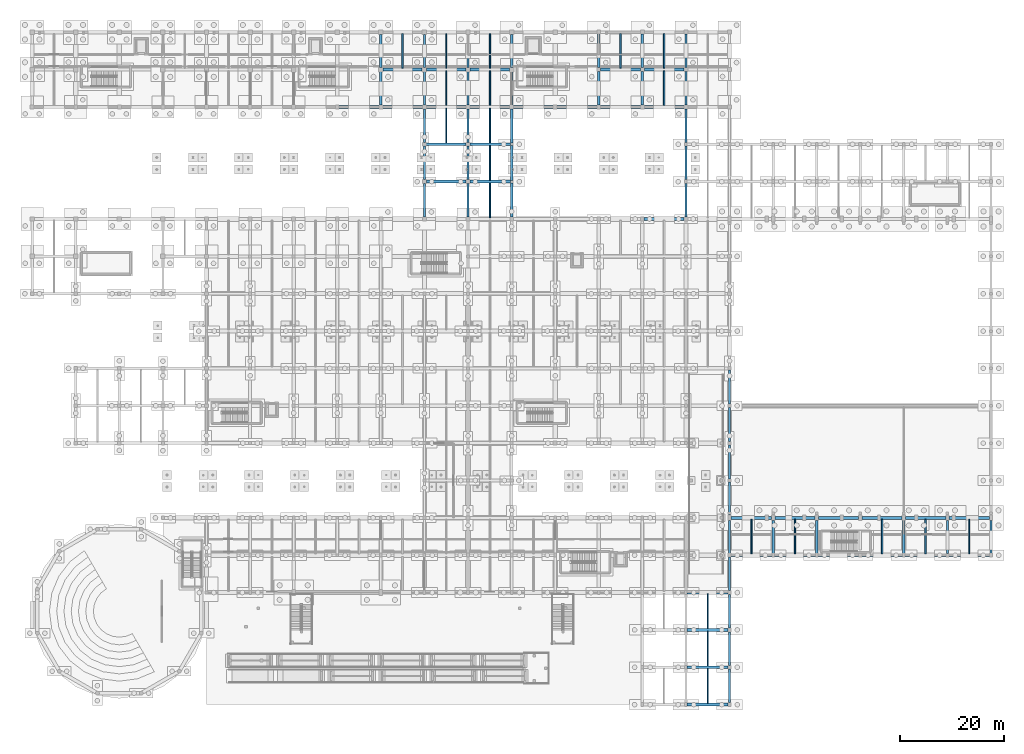
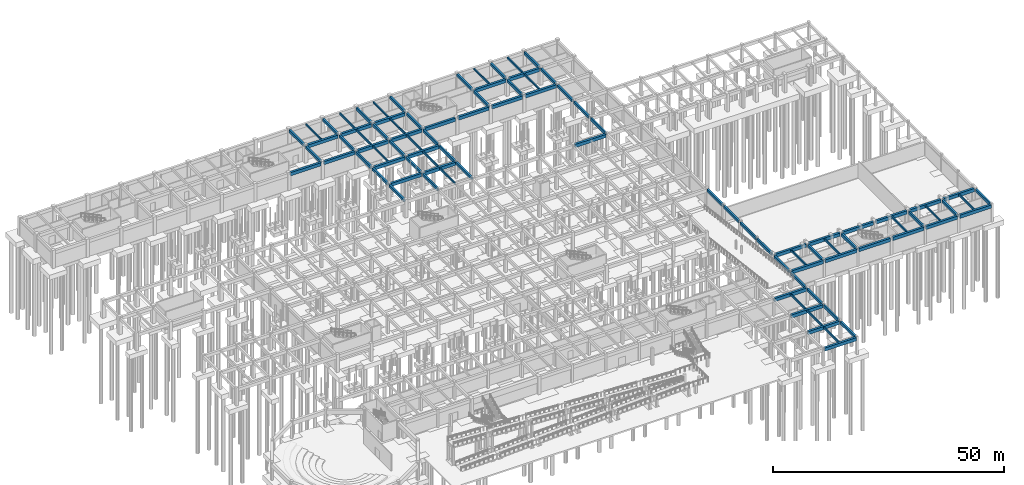
# One storey, part 55 of 80: 94 beams.
"""IFC4 building model written with IfcOpenShell, lengths in metres."""

from ifc_helpers import new_model, si_unit, direction, frame, origin, origin_2d, place, context, subcontext, project, spatial, rectangle, extrude, material, material_profile, profile_set, type_object, element, save


model = new_model("IFC4")

# Units and contexts
model_context = context("Model", 3, precision=1e-05, world=origin(), true_north=direction((0.0, 1.0)))
body_context = subcontext(model_context, "Body", "Model", "MODEL_VIEW")
ifc_project = project(units=[si_unit("LENGTHUNIT", "METRE"), si_unit("AREAUNIT", "SQUARE_METRE"), si_unit("VOLUMEUNIT", "CUBIC_METRE"), si_unit("PLANEANGLEUNIT", "RADIAN"), si_unit("MASSUNIT", "GRAM", prefix="KILO")], contexts=[model_context])

# Site, building, storey
site_placement = place(None, origin())
site = spatial("IfcSite", under=ifc_project, at=site_placement, CompositionType="ELEMENT")
building_placement = place(site_placement, origin())
building = spatial("IfcBuilding", under=site, at=building_placement, Name="Malvenik Polytechnic", CompositionType="ELEMENT")
storey_placement = place(building_placement, frame((0.0, 0.0, -4.800048828125)))
storey = spatial("IfcBuildingStorey", under=building, at=storey_placement, Name="B1", CompositionType="ELEMENT", Elevation=-4.800048828125)

# Beams
ifc_material_1 = material(Name="Concrete C35/45", Category="concrete")
ifc_material_profile_1 = material_profile(ifc_material_1, rectangle(XDim=0.550048828125, YDim=0.85009765625, at=origin_2d()), Name="RC BM 550x850")
ifc_profile_set_1 = profile_set([ifc_material_profile_1], Name="Concrete C35/45")
beam_type_1 = type_object("IfcBeamType", Name="STR-BM-B-01", PredefinedType="BEAM", material=ifc_profile_set_1)
for number, where, z_axis, x_axis, name in (
    (1, (126.248046875, 0.0, 4.074951171875), (1.0, 0.0, 0.0), (0.0, 1.0, 0.0), "Primary Beam B-01 B1 #5"),
    (2, (126.248046875, 7.199951171875, 4.074951171875), (1.0, 0.0, 0.0), (0.0, 1.0, 0.0), "Primary Beam B-01 B1 #7"),
    (3, (126.248046875, 14.39990234375, 4.074951171875), (1.0, 0.0, 0.0), (0.0, 1.0, 0.0), "Primary Beam B-01 B1 #9"),
    (4, (126.248046875, 21.60009765625, 4.074951171875), (1.0, 0.0, 0.0), (0.0, 1.0, 0.0), "Primary Beam B-01 B1 #19"),
    (5, (134.64794921875, 28.800048828125, 4.074951171875), (1.0, 0.0, 0.0), (0.0, 1.0, 0.0), "Primary Beam B-01 B1 #29"),
):
    element("IfcBeam", number, at=place(storey_placement, frame(where, z_axis=z_axis, x_axis=x_axis)), inside=storey, type_object=beam_type_1, Name=name, PredefinedType="BEAM", context=body_context, shape_type="SweptSolid", body=[
        extrude(rectangle(XDim=0.550048828125, YDim=0.85009765625, at=origin_2d()), origin(), (0.0, 0.0, 1.0), 7.904052734375),
    ])
beam_1_placement = place(storey_placement, frame((143.048095703125, 28.800048828125, 4.074951171875), z_axis=(1.0, 0.0, 0.0), x_axis=(0.0, 1.0, 0.0)))
element("IfcBeam", 6, at=beam_1_placement, inside=storey, type_object=beam_type_1, Name="Primary Beam B-01 B1 #30", PredefinedType="BEAM", context=body_context, shape_type="SweptSolid", body=[
    extrude(rectangle(XDim=0.550048828125, YDim=0.85009765625, at=origin_2d()), origin(), (0.0, 0.0, 1.0), 7.90380859375),
])
for number, where, z_axis, x_axis, name in (
    (7, (151.447998046875, 28.800048828125, 4.074951171875), (1.0, 0.0, 0.0), (0.0, 1.0, 0.0), "Primary Beam B-01 B1 #31"),
    (8, (159.89794921875, 28.800048828125, 4.074951171875), (1.0, 0.0, 0.0), (0.0, 1.0, 0.0), "Primary Beam B-01 B1 #32"),
    (9, (168.248046875, 28.800048828125, 4.074951171875), (1.0, 0.0, 0.0), (0.0, 1.0, 0.0), "Primary Beam B-01 B1 #33"),
    (10, (176.697998046875, 28.800048828125, 4.074951171875), (1.0, 0.0, 0.0), (0.0, 1.0, 0.0), "Primary Beam B-01 B1 #34"),
):
    element("IfcBeam", number, at=place(storey_placement, frame(where, z_axis=z_axis, x_axis=x_axis)), inside=storey, type_object=beam_type_1, Name=name, PredefinedType="BEAM", context=body_context, shape_type="SweptSolid", body=[
        extrude(rectangle(XDim=0.550048828125, YDim=0.85009765625, at=origin_2d()), origin(), (0.0, 0.0, 1.0), 7.85400390625),
    ])
beam_2_placement = place(storey_placement, frame((134.722900390625, 36.0, 4.074951171875), z_axis=(1.0, 0.0, 0.0), x_axis=(0.0, 1.0, 0.0)))
element("IfcBeam", 11, at=beam_2_placement, inside=storey, type_object=beam_type_1, Name="Primary Beam B-01 B1 #47", PredefinedType="BEAM", context=body_context, shape_type="SweptSolid", body=[
    extrude(rectangle(XDim=0.550048828125, YDim=0.85009765625, at=origin_2d()), origin(), (0.0, 0.0, 1.0), 7.754150390625),
])
beam_3_placement = place(storey_placement, frame((143.123046875, 36.0, 4.074951171875), z_axis=(1.0, 0.0, 0.0), x_axis=(0.0, 1.0, 0.0)))
element("IfcBeam", 12, at=beam_3_placement, inside=storey, type_object=beam_type_1, Name="Primary Beam B-01 B1 #48", PredefinedType="BEAM", context=body_context, shape_type="SweptSolid", body=[
    extrude(rectangle(XDim=0.550048828125, YDim=0.85009765625, at=origin_2d()), origin(), (0.0, 0.0, 1.0), 7.75390625),
])
beam_4_placement = place(storey_placement, frame((151.52294921875, 36.0, 4.074951171875), z_axis=(1.0, 0.0, 0.0), x_axis=(0.0, 1.0, 0.0)))
element("IfcBeam", 13, at=beam_4_placement, inside=storey, type_object=beam_type_1, Name="Primary Beam B-01 B1 #49", PredefinedType="BEAM", context=body_context, shape_type="SweptSolid", body=[
    extrude(rectangle(XDim=0.550048828125, YDim=0.85009765625, at=origin_2d()), origin(), (0.0, 0.0, 1.0), 7.754150390625),
])
for number, where, z_axis, x_axis, name in (
    (14, (159.923095703125, 36.0, 4.074951171875), (1.0, 0.0, 0.0), (0.0, 1.0, 0.0), "Primary Beam B-01 B1 #50"),
    (15, (168.322998046875, 36.0, 4.074951171875), (1.0, 0.0, 0.0), (0.0, 1.0, 0.0), "Primary Beam B-01 B1 #51"),
):
    element("IfcBeam", number, at=place(storey_placement, frame(where, z_axis=z_axis, x_axis=x_axis)), inside=storey, type_object=beam_type_1, Name=name, PredefinedType="BEAM", context=body_context, shape_type="SweptSolid", body=[
        extrude(rectangle(XDim=0.550048828125, YDim=0.85009765625, at=origin_2d()), origin(), (0.0, 0.0, 1.0), 7.75390625),
    ])
beam_5_placement = place(storey_placement, frame((176.722900390625, 36.0, 4.074951171875), z_axis=(1.0, 0.0, 0.0), x_axis=(0.0, 1.0, 0.0)))
element("IfcBeam", 16, at=beam_5_placement, inside=storey, type_object=beam_type_1, Name="Primary Beam B-01 B1 #52", PredefinedType="BEAM", context=body_context, shape_type="SweptSolid", body=[
    extrude(rectangle(XDim=0.550048828125, YDim=0.85009765625, at=origin_2d()), origin(), (0.0, 0.0, 1.0), 7.754150390625),
])
beam_6_placement = place(storey_placement, frame((117.947998046875, 93.60009765625, 4.074951171875), z_axis=(1.0, 0.0, 0.0), x_axis=(0.0, 1.0, 0.0)))
element("IfcBeam", 17, at=beam_6_placement, inside=storey, type_object=beam_type_1, Name="Primary Beam B-01 B1 #148", PredefinedType="BEAM", context=body_context, shape_type="SweptSolid", body=[
    extrude(rectangle(XDim=0.550048828125, YDim=0.85009765625, at=origin_2d()), origin(), (0.0, 0.0, 1.0), 7.7041015625),
])
beam_7_placement = place(storey_placement, frame((75.972900390625, 100.800048828125, 4.074951171875), z_axis=(1.0, 0.0, 0.0), x_axis=(0.0, 1.0, 0.0)))
element("IfcBeam", 18, at=beam_7_placement, inside=storey, type_object=beam_type_1, Name="Primary Beam B-01 B1 #156", PredefinedType="BEAM", context=body_context, shape_type="SweptSolid", body=[
    extrude(rectangle(XDim=0.550048828125, YDim=0.85009765625, at=origin_2d()), origin(), (0.0, 0.0, 1.0), 7.654052734375),
])
beam_8_placement = place(storey_placement, frame((84.373046875, 100.800048828125, 4.074951171875), z_axis=(1.0, 0.0, 0.0), x_axis=(0.0, 1.0, 0.0)))
element("IfcBeam", 19, at=beam_8_placement, inside=storey, type_object=beam_type_1, Name="Primary Beam B-01 B1 #157", PredefinedType="BEAM", context=body_context, shape_type="SweptSolid", body=[
    extrude(rectangle(XDim=0.550048828125, YDim=0.85009765625, at=origin_2d()), origin(), (0.0, 0.0, 1.0), 7.779052734375),
])
beam_9_placement = place(storey_placement, frame((75.947998046875, 108.0, 4.074951171875), z_axis=(1.0, 0.0, 0.0), x_axis=(0.0, 1.0, 0.0)))
element("IfcBeam", 20, at=beam_9_placement, inside=storey, type_object=beam_type_1, Name="Primary Beam B-01 B1 #165", PredefinedType="BEAM", context=body_context, shape_type="SweptSolid", body=[
    extrude(rectangle(XDim=0.550048828125, YDim=0.85009765625, at=origin_2d()), origin(), (0.0, 0.0, 1.0), 7.7041015625),
])
beam_10_placement = place(storey_placement, frame((84.347900390625, 108.0, 4.074951171875), z_axis=(1.0, 0.0, 0.0), x_axis=(0.0, 1.0, 0.0)))
element("IfcBeam", 21, at=beam_10_placement, inside=storey, type_object=beam_type_1, Name="Primary Beam B-01 B1 #166", PredefinedType="BEAM", context=body_context, shape_type="SweptSolid", body=[
    extrude(rectangle(XDim=0.550048828125, YDim=0.85009765625, at=origin_2d()), origin(), (0.0, 0.0, 1.0), 7.80419921875),
])
beam_11_placement = place(storey_placement, frame((59.173095703125, 115.199951171875, 4.074951171875), z_axis=(1.0, 0.0, 0.0), x_axis=(0.0, 1.0, 0.0)))
element("IfcBeam", 22, at=beam_11_placement, inside=storey, type_object=beam_type_1, Name="Primary Beam B-01 B1 #181", PredefinedType="BEAM", context=body_context, shape_type="SweptSolid", body=[
    extrude(rectangle(XDim=0.550048828125, YDim=0.85009765625, at=origin_2d()), origin(), (0.0, 0.0, 1.0), 7.65380859375),
])
for number, where, z_axis, x_axis, name in (
    (23, (67.572998046875, 115.199951171875, 4.074951171875), (1.0, 0.0, 0.0), (0.0, 1.0, 0.0), "Primary Beam B-01 B1 #182"),
    (24, (75.972900390625, 115.199951171875, 4.074951171875), (1.0, 0.0, 0.0), (0.0, 1.0, 0.0), "Primary Beam B-01 B1 #183"),
    (25, (84.373046875, 115.199951171875, 4.074951171875), (1.0, 0.0, 0.0), (0.0, 1.0, 0.0), "Primary Beam B-01 B1 #184"),
    (26, (92.77294921875, 115.199951171875, 4.074951171875), (1.0, 0.0, 0.0), (0.0, 1.0, 0.0), "Primary Beam B-01 B1 #185"),
):
    element("IfcBeam", number, at=place(storey_placement, frame(where, z_axis=z_axis, x_axis=x_axis)), inside=storey, type_object=beam_type_1, Name=name, PredefinedType="BEAM", context=body_context, shape_type="SweptSolid", body=[
        extrude(rectangle(XDim=0.550048828125, YDim=0.85009765625, at=origin_2d()), origin(), (0.0, 0.0, 1.0), 7.654052734375),
    ])
beam_12_placement = place(storey_placement, frame((101.173095703125, 115.199951171875, 4.074951171875), z_axis=(1.0, 0.0, 0.0), x_axis=(0.0, 1.0, 0.0)))
element("IfcBeam", 27, at=beam_12_placement, inside=storey, type_object=beam_type_1, Name="Primary Beam B-01 B1 #186", PredefinedType="BEAM", context=body_context, shape_type="SweptSolid", body=[
    extrude(rectangle(XDim=0.550048828125, YDim=0.85009765625, at=origin_2d()), origin(), (0.0, 0.0, 1.0), 7.65380859375),
])
for number, where, z_axis, x_axis, name in (
    (28, (109.572998046875, 115.199951171875, 4.074951171875), (1.0, 0.0, 0.0), (0.0, 1.0, 0.0), "Primary Beam B-01 B1 #187"),
    (29, (117.972900390625, 115.199951171875, 4.074951171875), (1.0, 0.0, 0.0), (0.0, 1.0, 0.0), "Primary Beam B-01 B1 #188"),
):
    element("IfcBeam", number, at=place(storey_placement, frame(where, z_axis=z_axis, x_axis=x_axis)), inside=storey, type_object=beam_type_1, Name=name, PredefinedType="BEAM", context=body_context, shape_type="SweptSolid", body=[
        extrude(rectangle(XDim=0.550048828125, YDim=0.85009765625, at=origin_2d()), origin(), (0.0, 0.0, 1.0), 7.654052734375),
    ])
for number, where, z_axis, x_axis, name in (
    (30, (67.623046875, 122.39990234375, 4.074951171875), (1.0, 0.0, 0.0), (0.0, 1.0, 0.0), "Primary Beam B-01 B1 #194"),
    (31, (76.02294921875, 122.39990234375, 4.074951171875), (1.0, 0.0, 0.0), (0.0, 1.0, 0.0), "Primary Beam B-01 B1 #195"),
    (32, (84.423095703125, 122.39990234375, 4.074951171875), (1.0, 0.0, 0.0), (0.0, 1.0, 0.0), "Primary Beam B-01 B1 #196"),
):
    element("IfcBeam", number, at=place(storey_placement, frame(where, z_axis=z_axis, x_axis=x_axis)), inside=storey, type_object=beam_type_1, Name=name, PredefinedType="BEAM", context=body_context, shape_type="SweptSolid", body=[
        extrude(rectangle(XDim=0.550048828125, YDim=0.85009765625, at=origin_2d()), origin(), (0.0, 0.0, 1.0), 7.553955078125),
    ])
for number, where, z_axis, x_axis, name in (
    (33, (109.572998046875, 122.39990234375, 4.074951171875), (1.0, 0.0, 0.0), (0.0, 1.0, 0.0), "Primary Beam B-01 B1 #197"),
    (34, (117.972900390625, 122.39990234375, 4.074951171875), (1.0, 0.0, 0.0), (0.0, 1.0, 0.0), "Primary Beam B-01 B1 #198"),
):
    element("IfcBeam", number, at=place(storey_placement, frame(where, z_axis=z_axis, x_axis=x_axis)), inside=storey, type_object=beam_type_1, Name=name, PredefinedType="BEAM", context=body_context, shape_type="SweptSolid", body=[
        extrude(rectangle(XDim=0.550048828125, YDim=0.85009765625, at=origin_2d()), origin(), (0.0, 0.0, 1.0), 7.654052734375),
    ])
ifc_material_profile_2 = material_profile(ifc_material_1, rectangle(XDim=0.449951171875, YDim=0.699951171875, at=origin_2d()), Name="RC BM 450x700")
ifc_profile_set_2 = profile_set([ifc_material_profile_2], Name="Concrete C35/45")
beam_type_2 = type_object("IfcBeamType", Name="STR-BM-B-04", PredefinedType="BEAM", material=ifc_profile_set_2)
beam_13_placement = place(storey_placement, frame((67.199951171875, 115.572998046875, 4.150146484375), z_axis=(0.0, 1.0, 0.0), x_axis=(-1.0, 0.0, 0.0)))
element("IfcBeam", 35, at=beam_13_placement, inside=storey, type_object=beam_type_2, Name="Transverse Beam B-04 B1 #277", PredefinedType="BEAM", context=body_context, shape_type="SweptSolid", body=[
    extrude(rectangle(XDim=0.449951171875, YDim=0.699951171875, at=origin_2d()), origin(), (0.0, 0.0, 1.0), 6.404052734375),
])
beam_14_placement = place(storey_placement, frame((67.199951171875, 122.822998046875, 4.150146484375), z_axis=(0.0, 1.0, 0.0), x_axis=(-1.0, 0.0, 0.0)))
element("IfcBeam", 36, at=beam_14_placement, inside=storey, type_object=beam_type_2, Name="Transverse Beam B-04 B1 #278", PredefinedType="BEAM", context=body_context, shape_type="SweptSolid", body=[
    extrude(rectangle(XDim=0.449951171875, YDim=0.699951171875, at=origin_2d()), origin(), (0.0, 0.0, 1.0), 6.35400390625),
])
beam_15_placement = place(storey_placement, frame((75.60009765625, 93.972900390625, 4.150146484375), z_axis=(0.0, 1.0, 0.0), x_axis=(-1.0, 0.0, 0.0)))
element("IfcBeam", 37, at=beam_15_placement, inside=storey, type_object=beam_type_2, Name="Transverse Beam B-04 B1 #287", PredefinedType="BEAM", context=body_context, shape_type="SweptSolid", body=[
    extrude(rectangle(XDim=0.449951171875, YDim=0.699951171875, at=origin_2d()), origin(), (0.0, 0.0, 1.0), 6.4541015625),
])
for number, where, z_axis, x_axis, name in (
    (38, (75.60009765625, 101.173095703125, 4.150146484375), (0.0, 1.0, 0.0), (-1.0, 0.0, 0.0), "Transverse Beam B-04 B1 #288"),
    (39, (75.60009765625, 108.347900390625, 4.150146484375), (0.0, 1.0, 0.0), (-1.0, 0.0, 0.0), "Transverse Beam B-04 B1 #289"),
):
    element("IfcBeam", number, at=place(storey_placement, frame(where, z_axis=z_axis, x_axis=x_axis)), inside=storey, type_object=beam_type_2, Name=name, PredefinedType="BEAM", context=body_context, shape_type="SweptSolid", body=[
        extrude(rectangle(XDim=0.449951171875, YDim=0.699951171875, at=origin_2d()), origin(), (0.0, 0.0, 1.0), 6.47900390625),
    ])
beam_16_placement = place(storey_placement, frame((75.60009765625, 115.572998046875, 4.150146484375), z_axis=(0.0, 1.0, 0.0), x_axis=(-1.0, 0.0, 0.0)))
element("IfcBeam", 40, at=beam_16_placement, inside=storey, type_object=beam_type_2, Name="Transverse Beam B-04 B1 #290", PredefinedType="BEAM", context=body_context, shape_type="SweptSolid", body=[
    extrude(rectangle(XDim=0.449951171875, YDim=0.699951171875, at=origin_2d()), origin(), (0.0, 0.0, 1.0), 6.404052734375),
])
beam_17_placement = place(storey_placement, frame((75.60009765625, 122.822998046875, 4.150146484375), z_axis=(0.0, 1.0, 0.0), x_axis=(-1.0, 0.0, 0.0)))
element("IfcBeam", 41, at=beam_17_placement, inside=storey, type_object=beam_type_2, Name="Transverse Beam B-04 B1 #291", PredefinedType="BEAM", context=body_context, shape_type="SweptSolid", body=[
    extrude(rectangle(XDim=0.449951171875, YDim=0.699951171875, at=origin_2d()), origin(), (0.0, 0.0, 1.0), 6.35400390625),
])
beam_18_placement = place(storey_placement, frame((84.0, 93.972900390625, 4.150146484375), z_axis=(0.0, 1.0, 0.0), x_axis=(-1.0, 0.0, 0.0)))
element("IfcBeam", 42, at=beam_18_placement, inside=storey, type_object=beam_type_2, Name="Transverse Beam B-04 B1 #302", PredefinedType="BEAM", context=body_context, shape_type="SweptSolid", body=[
    extrude(rectangle(XDim=0.449951171875, YDim=0.699951171875, at=origin_2d()), origin(), (0.0, 0.0, 1.0), 6.4541015625),
])
for number, where, z_axis, x_axis, name in (
    (43, (84.0, 101.173095703125, 4.150146484375), (0.0, 1.0, 0.0), (-1.0, 0.0, 0.0), "Transverse Beam B-04 B1 #303"),
    (44, (84.0, 108.347900390625, 4.150146484375), (0.0, 1.0, 0.0), (-1.0, 0.0, 0.0), "Transverse Beam B-04 B1 #304"),
):
    element("IfcBeam", number, at=place(storey_placement, frame(where, z_axis=z_axis, x_axis=x_axis)), inside=storey, type_object=beam_type_2, Name=name, PredefinedType="BEAM", context=body_context, shape_type="SweptSolid", body=[
        extrude(rectangle(XDim=0.449951171875, YDim=0.699951171875, at=origin_2d()), origin(), (0.0, 0.0, 1.0), 6.47900390625),
    ])
beam_19_placement = place(storey_placement, frame((84.0, 115.572998046875, 4.150146484375), z_axis=(0.0, 1.0, 0.0), x_axis=(-1.0, 0.0, 0.0)))
element("IfcBeam", 45, at=beam_19_placement, inside=storey, type_object=beam_type_2, Name="Transverse Beam B-04 B1 #305", PredefinedType="BEAM", context=body_context, shape_type="SweptSolid", body=[
    extrude(rectangle(XDim=0.449951171875, YDim=0.699951171875, at=origin_2d()), origin(), (0.0, 0.0, 1.0), 6.404052734375),
])
beam_20_placement = place(storey_placement, frame((84.0, 122.822998046875, 4.150146484375), z_axis=(0.0, 1.0, 0.0), x_axis=(-1.0, 0.0, 0.0)))
element("IfcBeam", 46, at=beam_20_placement, inside=storey, type_object=beam_type_2, Name="Transverse Beam B-04 B1 #306", PredefinedType="BEAM", context=body_context, shape_type="SweptSolid", body=[
    extrude(rectangle(XDim=0.449951171875, YDim=0.699951171875, at=origin_2d()), origin(), (0.0, 0.0, 1.0), 6.35400390625),
])
beam_21_placement = place(storey_placement, frame((92.39990234375, 93.947998046875, 4.150146484375), z_axis=(0.0, 1.0, 0.0), x_axis=(-1.0, 0.0, 0.0)))
element("IfcBeam", 47, at=beam_21_placement, inside=storey, type_object=beam_type_2, Name="Transverse Beam B-04 B1 #317", PredefinedType="BEAM", context=body_context, shape_type="SweptSolid", body=[
    extrude(rectangle(XDim=0.449951171875, YDim=0.699951171875, at=origin_2d()), origin(), (0.0, 0.0, 1.0), 6.60400390625),
])
beam_22_placement = place(storey_placement, frame((92.39990234375, 101.048095703125, 4.150146484375), z_axis=(0.0, 1.0, 0.0), x_axis=(-1.0, 0.0, 0.0)))
element("IfcBeam", 48, at=beam_22_placement, inside=storey, type_object=beam_type_2, Name="Transverse Beam B-04 B1 #318", PredefinedType="BEAM", context=body_context, shape_type="SweptSolid", body=[
    extrude(rectangle(XDim=0.449951171875, YDim=0.699951171875, at=origin_2d()), origin(), (0.0, 0.0, 1.0), 6.703857421875),
])
beam_23_placement = place(storey_placement, frame((92.39990234375, 108.248046875, 4.150146484375), z_axis=(0.0, 1.0, 0.0), x_axis=(-1.0, 0.0, 0.0)))
element("IfcBeam", 49, at=beam_23_placement, inside=storey, type_object=beam_type_2, Name="Transverse Beam B-04 B1 #319", PredefinedType="BEAM", context=body_context, shape_type="SweptSolid", body=[
    extrude(rectangle(XDim=0.449951171875, YDim=0.699951171875, at=origin_2d()), origin(), (0.0, 0.0, 1.0), 6.578857421875),
])
beam_24_placement = place(storey_placement, frame((92.39990234375, 115.572998046875, 4.150146484375), z_axis=(0.0, 1.0, 0.0), x_axis=(-1.0, 0.0, 0.0)))
element("IfcBeam", 50, at=beam_24_placement, inside=storey, type_object=beam_type_2, Name="Transverse Beam B-04 B1 #320", PredefinedType="BEAM", context=body_context, shape_type="SweptSolid", body=[
    extrude(rectangle(XDim=0.449951171875, YDim=0.699951171875, at=origin_2d()), origin(), (0.0, 0.0, 1.0), 6.404052734375),
])
beam_25_placement = place(storey_placement, frame((92.39990234375, 122.822998046875, 4.150146484375), z_axis=(0.0, 1.0, 0.0), x_axis=(-1.0, 0.0, 0.0)))
element("IfcBeam", 51, at=beam_25_placement, inside=storey, type_object=beam_type_2, Name="Transverse Beam B-04 B1 #321", PredefinedType="BEAM", context=body_context, shape_type="SweptSolid", body=[
    extrude(rectangle(XDim=0.449951171875, YDim=0.699951171875, at=origin_2d()), origin(), (0.0, 0.0, 1.0), 6.35400390625),
])
for number, where, z_axis, x_axis, name in (
    (52, (109.199951171875, 115.572998046875, 4.150146484375), (0.0, 1.0, 0.0), (-1.0, 0.0, 0.0), "Transverse Beam B-04 B1 #334"),
    (53, (109.199951171875, 122.77294921875, 4.150146484375), (0.0, 1.0, 0.0), (-1.0, 0.0, 0.0), "Transverse Beam B-04 B1 #335"),
    (54, (117.60009765625, 115.572998046875, 4.150146484375), (0.0, 1.0, 0.0), (-1.0, 0.0, 0.0), "Transverse Beam B-04 B1 #347"),
    (55, (117.60009765625, 122.77294921875, 4.150146484375), (0.0, 1.0, 0.0), (-1.0, 0.0, 0.0), "Transverse Beam B-04 B1 #348"),
):
    element("IfcBeam", number, at=place(storey_placement, frame(where, z_axis=z_axis, x_axis=x_axis)), inside=storey, type_object=beam_type_2, Name=name, PredefinedType="BEAM", context=body_context, shape_type="SweptSolid", body=[
        extrude(rectangle(XDim=0.449951171875, YDim=0.699951171875, at=origin_2d()), origin(), (0.0, 0.0, 1.0), 6.4541015625),
    ])
beam_26_placement = place(storey_placement, frame((126.0, 93.947998046875, 4.150146484375), z_axis=(0.0, 1.0, 0.0), x_axis=(-1.0, 0.0, 0.0)))
element("IfcBeam", 56, at=beam_26_placement, inside=storey, type_object=beam_type_2, Name="Transverse Beam B-04 B1 #360", PredefinedType="BEAM", context=body_context, shape_type="SweptSolid", body=[
    extrude(rectangle(XDim=0.449951171875, YDim=0.699951171875, at=origin_2d()), origin(), (0.0, 0.0, 1.0), 6.47900390625),
])
for number, where, z_axis, x_axis, name in (
    (57, (126.0, 101.173095703125, 4.150146484375), (0.0, 1.0, 0.0), (-1.0, 0.0, 0.0), "Transverse Beam B-04 B1 #361"),
    (58, (126.0, 108.373046875, 4.150146484375), (0.0, 1.0, 0.0), (-1.0, 0.0, 0.0), "Transverse Beam B-04 B1 #362"),
):
    element("IfcBeam", number, at=place(storey_placement, frame(where, z_axis=z_axis, x_axis=x_axis)), inside=storey, type_object=beam_type_2, Name=name, PredefinedType="BEAM", context=body_context, shape_type="SweptSolid", body=[
        extrude(rectangle(XDim=0.449951171875, YDim=0.699951171875, at=origin_2d()), origin(), (0.0, 0.0, 1.0), 6.453857421875),
    ])
for number, where, z_axis, x_axis, name in (
    (59, (126.0, 115.572998046875, 4.150146484375), (0.0, 1.0, 0.0), (-1.0, 0.0, 0.0), "Transverse Beam B-04 B1 #363"),
    (60, (126.0, 122.77294921875, 4.150146484375), (0.0, 1.0, 0.0), (-1.0, 0.0, 0.0), "Transverse Beam B-04 B1 #364"),
):
    element("IfcBeam", number, at=place(storey_placement, frame(where, z_axis=z_axis, x_axis=x_axis)), inside=storey, type_object=beam_type_2, Name=name, PredefinedType="BEAM", context=body_context, shape_type="SweptSolid", body=[
        extrude(rectangle(XDim=0.449951171875, YDim=0.699951171875, at=origin_2d()), origin(), (0.0, 0.0, 1.0), 6.4541015625),
    ])
beam_27_placement = place(storey_placement, frame((134.39990234375, 0.373046875, 4.150146484375), z_axis=(0.0, 1.0, 0.0), x_axis=(-1.0, 0.0, 0.0)))
element("IfcBeam", 61, at=beam_27_placement, inside=storey, type_object=beam_type_2, Name="Transverse Beam B-04 B1 #365", PredefinedType="BEAM", context=body_context, shape_type="SweptSolid", body=[
    extrude(rectangle(XDim=0.449951171875, YDim=0.699951171875, at=origin_2d()), origin(), (0.0, 0.0, 1.0), 6.453857421875),
])
for number, where, z_axis, x_axis, name in (
    (62, (134.39990234375, 7.572998046875, 4.150146484375), (0.0, 1.0, 0.0), (-1.0, 0.0, 0.0), "Transverse Beam B-04 B1 #366"),
    (63, (134.39990234375, 14.77294921875, 4.150146484375), (0.0, 1.0, 0.0), (-1.0, 0.0, 0.0), "Transverse Beam B-04 B1 #367"),
    (64, (134.39990234375, 21.972900390625, 4.150146484375), (0.0, 1.0, 0.0), (-1.0, 0.0, 0.0), "Transverse Beam B-04 B1 #368"),
):
    element("IfcBeam", number, at=place(storey_placement, frame(where, z_axis=z_axis, x_axis=x_axis)), inside=storey, type_object=beam_type_2, Name=name, PredefinedType="BEAM", context=body_context, shape_type="SweptSolid", body=[
        extrude(rectangle(XDim=0.449951171875, YDim=0.699951171875, at=origin_2d()), origin(), (0.0, 0.0, 1.0), 6.4541015625),
    ])
beam_28_placement = place(storey_placement, frame((134.39990234375, 29.173095703125, 4.150146484375), z_axis=(0.0, 1.0, 0.0), x_axis=(-1.0, 0.0, 0.0)))
element("IfcBeam", 65, at=beam_28_placement, inside=storey, type_object=beam_type_2, Name="Transverse Beam B-04 B1 #369", PredefinedType="BEAM", context=body_context, shape_type="SweptSolid", body=[
    extrude(rectangle(XDim=0.449951171875, YDim=0.699951171875, at=origin_2d()), origin(), (0.0, 0.0, 1.0), 6.27880859375),
])
beam_29_placement = place(storey_placement, frame((134.39990234375, 36.548095703125, 4.150146484375), z_axis=(0.0, 1.0, 0.0), x_axis=(-1.0, 0.0, 0.0)))
element("IfcBeam", 66, at=beam_29_placement, inside=storey, type_object=beam_type_2, Name="Transverse Beam B-04 B1 #370", PredefinedType="BEAM", context=body_context, shape_type="SweptSolid", body=[
    extrude(rectangle(XDim=0.449951171875, YDim=0.699951171875, at=origin_2d()), origin(), (0.0, 0.0, 1.0), 6.40380859375),
])
beam_30_placement = place(storey_placement, frame((134.39990234375, 43.447998046875, 4.150146484375), z_axis=(0.0, 1.0, 0.0), x_axis=(-1.0, 0.0, 0.0)))
element("IfcBeam", 67, at=beam_30_placement, inside=storey, type_object=beam_type_2, Name="Transverse Beam B-04 B1 #371", PredefinedType="BEAM", context=body_context, shape_type="SweptSolid", body=[
    extrude(rectangle(XDim=0.449951171875, YDim=0.699951171875, at=origin_2d()), origin(), (0.0, 0.0, 1.0), 6.62890625),
])
beam_31_placement = place(storey_placement, frame((134.39990234375, 50.722900390625, 4.150146484375), z_axis=(0.0, 1.0, 0.0), x_axis=(-1.0, 0.0, 0.0)))
element("IfcBeam", 68, at=beam_31_placement, inside=storey, type_object=beam_type_2, Name="Transverse Beam B-04 B1 #372", PredefinedType="BEAM", context=body_context, shape_type="SweptSolid", body=[
    extrude(rectangle(XDim=0.449951171875, YDim=0.699951171875, at=origin_2d()), origin(), (0.0, 0.0, 1.0), 6.55419921875),
])
beam_32_placement = place(storey_placement, frame((134.39990234375, 57.923095703125, 4.150146484375), z_axis=(0.0, 1.0, 0.0), x_axis=(-1.0, 0.0, 0.0)))
element("IfcBeam", 69, at=beam_32_placement, inside=storey, type_object=beam_type_2, Name="Transverse Beam B-04 B1 #373", PredefinedType="BEAM", context=body_context, shape_type="SweptSolid", body=[
    extrude(rectangle(XDim=0.449951171875, YDim=0.699951171875, at=origin_2d()), origin(), (0.0, 0.0, 1.0), 6.553955078125),
])
for number, where, z_axis, x_axis, name in (
    (70, (142.800048828125, 29.173095703125, 4.150146484375), (0.0, 1.0, 0.0), (-1.0, 0.0, 0.0), "Transverse Beam B-04 B1 #383"),
    (71, (151.199951171875, 29.173095703125, 4.150146484375), (0.0, 1.0, 0.0), (-1.0, 0.0, 0.0), "Transverse Beam B-04 B1 #386"),
    (72, (168.0, 29.173095703125, 4.150146484375), (0.0, 1.0, 0.0), (-1.0, 0.0, 0.0), "Transverse Beam B-04 B1 #391"),
):
    element("IfcBeam", number, at=place(storey_placement, frame(where, z_axis=z_axis, x_axis=x_axis)), inside=storey, type_object=beam_type_2, Name=name, PredefinedType="BEAM", context=body_context, shape_type="SweptSolid", body=[
        extrude(rectangle(XDim=0.449951171875, YDim=0.699951171875, at=origin_2d()), origin(), (0.0, 0.0, 1.0), 6.27880859375),
    ])
beam_33_placement = place(storey_placement, frame((176.39990234375, 29.097900390625, 4.150146484375), z_axis=(0.0, 1.0, 0.0), x_axis=(-1.0, 0.0, 0.0)))
element("IfcBeam", 73, at=beam_33_placement, inside=storey, type_object=beam_type_2, Name="Transverse Beam B-04 B1 #394", PredefinedType="BEAM", context=body_context, shape_type="SweptSolid", body=[
    extrude(rectangle(XDim=0.449951171875, YDim=0.699951171875, at=origin_2d()), origin(), (0.0, 0.0, 1.0), 6.35400390625),
])
beam_34_placement = place(storey_placement, frame((184.800048828125, 29.173095703125, 4.150146484375), z_axis=(0.0, 1.0, 0.0), x_axis=(-1.0, 0.0, 0.0)))
element("IfcBeam", 74, at=beam_34_placement, inside=storey, type_object=beam_type_2, Name="Transverse Beam B-04 B1 #396", PredefinedType="BEAM", context=body_context, shape_type="SweptSolid", body=[
    extrude(rectangle(XDim=0.449951171875, YDim=0.699951171875, at=origin_2d()), origin(), (0.0, 0.0, 1.0), 6.27880859375),
])
ifc_material_2 = material(Name="Concrete C30/37", Category="concrete")
ifc_material_profile_3 = material_profile(ifc_material_2, rectangle(XDim=0.280029296875, YDim=0.47998046875, at=origin_2d()), Name="RC JST 280x480")
ifc_profile_set_3 = profile_set([ifc_material_profile_3], Name="Concrete C30/37")
beam_type_3 = type_object("IfcBeamType", Name="STR-BM-J-01", PredefinedType="JOIST", material=ifc_profile_set_3)
beam_35_placement = place(storey_placement, frame((71.39990234375, 122.673095703125, 4.260009765625), z_axis=(0.0, 1.0, 0.0), x_axis=(-1.0, 0.0, 0.0)))
element("IfcBeam", 75, at=beam_35_placement, inside=storey, type_object=beam_type_3, Name="Secondary Rib Joist J-01 B1 #453", PredefinedType="JOIST", context=body_context, shape_type="SweptSolid", body=[
    extrude(rectangle(XDim=0.280029296875, YDim=0.47998046875, at=origin_2d()), origin(), (0.0, 0.0, 1.0), 6.65380859375),
])
for number, where, z_axis, x_axis, name in (
    (76, (79.800048828125, 108.27294921875, 4.260009765625), (0.0, 1.0, 0.0), (-1.0, 0.0, 0.0), "Secondary Rib Joist J-01 B1 #461"),
    (77, (79.800048828125, 115.472900390625, 4.260009765625), (0.0, 1.0, 0.0), (-1.0, 0.0, 0.0), "Secondary Rib Joist J-01 B1 #462"),
):
    element("IfcBeam", number, at=place(storey_placement, frame(where, z_axis=z_axis, x_axis=x_axis)), inside=storey, type_object=beam_type_3, Name=name, PredefinedType="JOIST", context=body_context, shape_type="SweptSolid", body=[
        extrude(rectangle(XDim=0.280029296875, YDim=0.47998046875, at=origin_2d()), origin(), (0.0, 0.0, 1.0), 6.654052734375),
    ])
beam_36_placement = place(storey_placement, frame((79.800048828125, 122.673095703125, 4.260009765625), z_axis=(0.0, 1.0, 0.0), x_axis=(-1.0, 0.0, 0.0)))
element("IfcBeam", 78, at=beam_36_placement, inside=storey, type_object=beam_type_3, Name="Secondary Rib Joist J-01 B1 #463", PredefinedType="JOIST", context=body_context, shape_type="SweptSolid", body=[
    extrude(rectangle(XDim=0.280029296875, YDim=0.47998046875, at=origin_2d()), origin(), (0.0, 0.0, 1.0), 6.65380859375),
])
for number, where, z_axis, x_axis, name in (
    (79, (88.199951171875, 93.873046875, 4.260009765625), (0.0, 1.0, 0.0), (-1.0, 0.0, 0.0), "Secondary Rib Joist J-01 B1 #474"),
    (80, (88.199951171875, 101.072998046875, 4.260009765625), (0.0, 1.0, 0.0), (-1.0, 0.0, 0.0), "Secondary Rib Joist J-01 B1 #475"),
    (81, (88.199951171875, 108.27294921875, 4.260009765625), (0.0, 1.0, 0.0), (-1.0, 0.0, 0.0), "Secondary Rib Joist J-01 B1 #476"),
    (82, (88.199951171875, 115.472900390625, 4.260009765625), (0.0, 1.0, 0.0), (-1.0, 0.0, 0.0), "Secondary Rib Joist J-01 B1 #477"),
):
    element("IfcBeam", number, at=place(storey_placement, frame(where, z_axis=z_axis, x_axis=x_axis)), inside=storey, type_object=beam_type_3, Name=name, PredefinedType="JOIST", context=body_context, shape_type="SweptSolid", body=[
        extrude(rectangle(XDim=0.280029296875, YDim=0.47998046875, at=origin_2d()), origin(), (0.0, 0.0, 1.0), 6.654052734375),
    ])
for number, where, z_axis, x_axis, name in (
    (83, (88.199951171875, 122.673095703125, 4.260009765625), (0.0, 1.0, 0.0), (-1.0, 0.0, 0.0), "Secondary Rib Joist J-01 B1 #478"),
    (84, (113.39990234375, 122.673095703125, 4.260009765625), (0.0, 1.0, 0.0), (-1.0, 0.0, 0.0), "Secondary Rib Joist J-01 B1 #491"),
):
    element("IfcBeam", number, at=place(storey_placement, frame(where, z_axis=z_axis, x_axis=x_axis)), inside=storey, type_object=beam_type_3, Name=name, PredefinedType="JOIST", context=body_context, shape_type="SweptSolid", body=[
        extrude(rectangle(XDim=0.280029296875, YDim=0.47998046875, at=origin_2d()), origin(), (0.0, 0.0, 1.0), 6.65380859375),
    ])
beam_37_placement = place(storey_placement, frame((121.800048828125, 115.472900390625, 4.260009765625), z_axis=(0.0, 1.0, 0.0), x_axis=(-1.0, 0.0, 0.0)))
element("IfcBeam", 85, at=beam_37_placement, inside=storey, type_object=beam_type_3, Name="Secondary Rib Joist J-01 B1 #502", PredefinedType="JOIST", context=body_context, shape_type="SweptSolid", body=[
    extrude(rectangle(XDim=0.280029296875, YDim=0.47998046875, at=origin_2d()), origin(), (0.0, 0.0, 1.0), 6.654052734375),
])
beam_38_placement = place(storey_placement, frame((121.800048828125, 122.673095703125, 4.260009765625), z_axis=(0.0, 1.0, 0.0), x_axis=(-1.0, 0.0, 0.0)))
element("IfcBeam", 86, at=beam_38_placement, inside=storey, type_object=beam_type_3, Name="Secondary Rib Joist J-01 B1 #503", PredefinedType="JOIST", context=body_context, shape_type="SweptSolid", body=[
    extrude(rectangle(XDim=0.280029296875, YDim=0.47998046875, at=origin_2d()), origin(), (0.0, 0.0, 1.0), 6.65380859375),
])
for number, where, z_axis, x_axis, name in (
    (87, (130.199951171875, 0.27294921875, 4.260009765625), (0.0, 1.0, 0.0), (-1.0, 0.0, 0.0), "Secondary Rib Joist J-01 B1 #504"),
    (88, (130.199951171875, 7.472900390625, 4.260009765625), (0.0, 1.0, 0.0), (-1.0, 0.0, 0.0), "Secondary Rib Joist J-01 B1 #505"),
):
    element("IfcBeam", number, at=place(storey_placement, frame(where, z_axis=z_axis, x_axis=x_axis)), inside=storey, type_object=beam_type_3, Name=name, PredefinedType="JOIST", context=body_context, shape_type="SweptSolid", body=[
        extrude(rectangle(XDim=0.280029296875, YDim=0.47998046875, at=origin_2d()), origin(), (0.0, 0.0, 1.0), 6.654052734375),
    ])
beam_39_placement = place(storey_placement, frame((130.199951171875, 14.673095703125, 4.260009765625), z_axis=(0.0, 1.0, 0.0), x_axis=(-1.0, 0.0, 0.0)))
element("IfcBeam", 89, at=beam_39_placement, inside=storey, type_object=beam_type_3, Name="Secondary Rib Joist J-01 B1 #506", PredefinedType="JOIST", context=body_context, shape_type="SweptSolid", body=[
    extrude(rectangle(XDim=0.280029296875, YDim=0.47998046875, at=origin_2d()), origin(), (0.0, 0.0, 1.0), 6.65380859375),
])
for number, where, z_axis, x_axis, name in (
    (90, (138.60009765625, 29.072998046875, 4.260009765625), (0.0, 1.0, 0.0), (-1.0, 0.0, 0.0), "Secondary Rib Joist J-01 B1 #516"),
    (91, (147.0, 29.072998046875, 4.260009765625), (0.0, 1.0, 0.0), (-1.0, 0.0, 0.0), "Secondary Rib Joist J-01 B1 #519"),
    (92, (163.800048828125, 29.072998046875, 4.260009765625), (0.0, 1.0, 0.0), (-1.0, 0.0, 0.0), "Secondary Rib Joist J-01 B1 #524"),
    (93, (172.199951171875, 29.072998046875, 4.260009765625), (0.0, 1.0, 0.0), (-1.0, 0.0, 0.0), "Secondary Rib Joist J-01 B1 #527"),
    (94, (180.60009765625, 29.072998046875, 4.260009765625), (0.0, 1.0, 0.0), (-1.0, 0.0, 0.0), "Secondary Rib Joist J-01 B1 #529"),
):
    element("IfcBeam", number, at=place(storey_placement, frame(where, z_axis=z_axis, x_axis=x_axis)), inside=storey, type_object=beam_type_3, Name=name, PredefinedType="JOIST", context=body_context, shape_type="SweptSolid", body=[
        extrude(rectangle(XDim=0.280029296875, YDim=0.47998046875, at=origin_2d()), origin(), (0.0, 0.0, 1.0), 6.654052734375),
    ])

save(model, "model.ifc")
